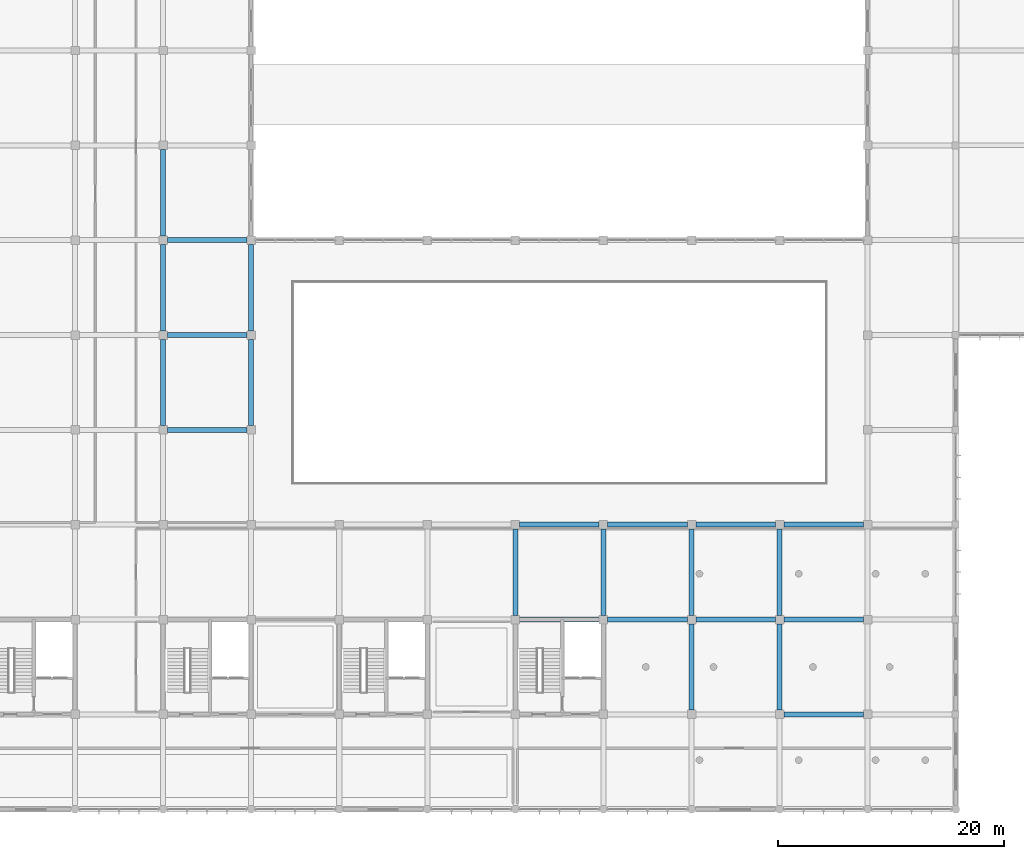
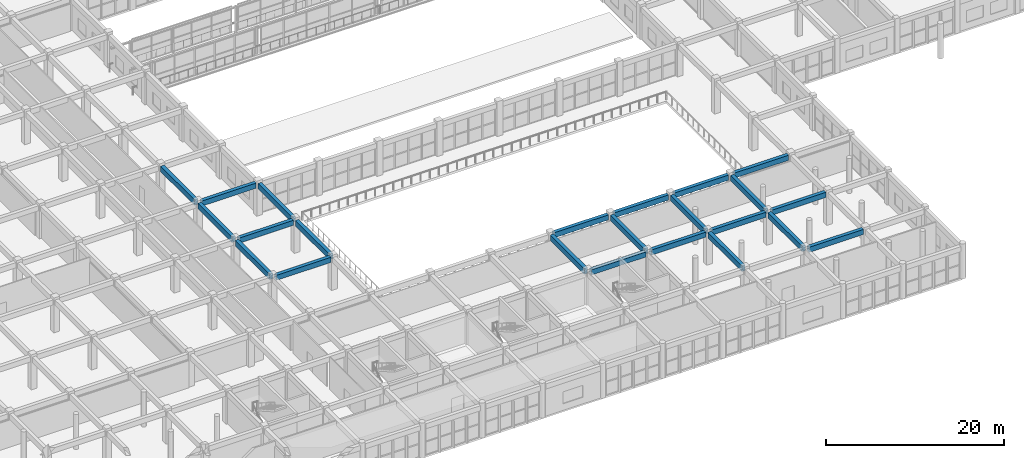
# One storey, part 35 of 167: 23 beams.
"""IFC4 building model written with IfcOpenShell, lengths in metres."""

from ifc_helpers import new_model, si_unit, direction, frame, origin, origin_2d, place, context, subcontext, project, spatial, rectangle, extrude, material, material_profile, profile_set, type_object, element, save


model = new_model("IFC4")

# Units and contexts
model_context = context("Model", 3, precision=1e-05, world=origin(), true_north=direction((0.0, 1.0)))
body_context = subcontext(model_context, "Body", "Model", "MODEL_VIEW")
ifc_project = project(units=[si_unit("LENGTHUNIT", "METRE"), si_unit("AREAUNIT", "SQUARE_METRE"), si_unit("VOLUMEUNIT", "CUBIC_METRE"), si_unit("PLANEANGLEUNIT", "RADIAN"), si_unit("MASSUNIT", "GRAM", prefix="KILO")], contexts=[model_context])

# Site, building, storey
site_placement = place(None, origin())
site = spatial("IfcSite", under=ifc_project, at=site_placement, CompositionType="ELEMENT")
building_placement = place(site_placement, origin())
building = spatial("IfcBuilding", under=site, at=building_placement, Name="Zizhar Promenade General Hospital", CompositionType="ELEMENT")
storey_placement = place(building_placement, frame((0.0, 0.0, 9.60009765625)))
storey = spatial("IfcBuildingStorey", under=building, at=storey_placement, Name="L02", CompositionType="ELEMENT", Elevation=9.60009765625)

# Beams
ifc_material_1 = material(Name="Concrete C35/45", Category="concrete")
ifc_material_profile_1 = material_profile(ifc_material_1, rectangle(XDim=0.449951171875, YDim=0.699951171875, at=origin_2d()))
ifc_profile_set_1 = profile_set([ifc_material_profile_1], Name="Concrete C35/45")
beam_type_1 = type_object("IfcBeamType", Name="BM-RC-450x700", PredefinedType="BEAM", material=ifc_profile_set_1)
for number, where, z_axis, x_axis, name in (
    (1, (62.77490234375, 33.60009765625, 4.119873046875), (1.0, 0.0, 0.0), (0.0, 1.0, 0.0), "Grid Beam X L02 (8-4)"),
    (2, (62.77490234375, 42.0, 4.119873046875), (1.0, 0.0, 0.0), (0.0, 1.0, 0.0), "Grid Beam X L02 (8-5)"),
    (3, (62.77490234375, 50.39990234375, 4.119873046875), (1.0, 0.0, 0.0), (0.0, 1.0, 0.0), "Grid Beam X L02 (8-6)"),
):
    element("IfcBeam", number, at=place(storey_placement, frame(where, z_axis=z_axis, x_axis=x_axis)), inside=storey, type_object=beam_type_1, Name=name, PredefinedType="BEAM", context=body_context, shape_type="SweptSolid", body=[
        extrude(rectangle(XDim=0.449951171875, YDim=0.699951171875, at=origin_2d()), origin(), (0.0, 0.0, 1.0), 7.050048828125),
    ])
for number, where, z_axis, x_axis, name in (
    (4, (93.97509765625, 16.800048828125, 4.119873046875), (1.0, 0.0, 0.0), (0.0, 1.0, 0.0), "Grid Beam X L02 (12-2)"),
    (5, (93.97509765625, 25.199951171875, 4.119873046875), (1.0, 0.0, 0.0), (0.0, 1.0, 0.0), "Grid Beam X L02 (12-3)"),
):
    element("IfcBeam", number, at=place(storey_placement, frame(where, z_axis=z_axis, x_axis=x_axis)), inside=storey, type_object=beam_type_1, Name=name, PredefinedType="BEAM", context=body_context, shape_type="SweptSolid", body=[
        extrude(rectangle(XDim=0.449951171875, YDim=0.699951171875, at=origin_2d()), origin(), (0.0, 0.0, 1.0), 7.0498046875),
    ])
for number, where, z_axis, x_axis, name in (
    (6, (101.77490234375, 16.800048828125, 4.119873046875), (1.0, 0.0, 0.0), (0.0, 1.0, 0.0), "Grid Beam X L02 (13-2)"),
    (7, (101.77490234375, 25.199951171875, 4.119873046875), (1.0, 0.0, 0.0), (0.0, 1.0, 0.0), "Grid Beam X L02 (13-3)"),
    (8, (109.574951171875, 16.800048828125, 4.119873046875), (1.0, 0.0, 0.0), (0.0, 1.0, 0.0), "Grid Beam X L02 (14-2)"),
    (9, (109.574951171875, 25.199951171875, 4.119873046875), (1.0, 0.0, 0.0), (0.0, 1.0, 0.0), "Grid Beam X L02 (14-3)"),
    (10, (117.375, 8.39990234375, 4.119873046875), (1.0, 0.0, 0.0), (0.0, 1.0, 0.0), "Grid Beam X L02 (15-1)"),
    (11, (117.375, 16.800048828125, 4.119873046875), (1.0, 0.0, 0.0), (0.0, 1.0, 0.0), "Grid Beam X L02 (15-2)"),
    (12, (117.375, 25.199951171875, 4.119873046875), (1.0, 0.0, 0.0), (0.0, 1.0, 0.0), "Grid Beam X L02 (15-3)"),
):
    element("IfcBeam", number, at=place(storey_placement, frame(where, z_axis=z_axis, x_axis=x_axis)), inside=storey, type_object=beam_type_1, Name=name, PredefinedType="BEAM", context=body_context, shape_type="SweptSolid", body=[
        extrude(rectangle(XDim=0.449951171875, YDim=0.699951171875, at=origin_2d()), origin(), (0.0, 0.0, 1.0), 7.050048828125),
    ])
ifc_material_2 = material(Name="Concrete C35/45", Category="concrete")
ifc_material_profile_2 = material_profile(ifc_material_2, rectangle(XDim=0.449951171875, YDim=0.75, at=origin_2d()))
ifc_profile_set_2 = profile_set([ifc_material_profile_2], Name="Concrete C35/45")
beam_type_2 = type_object("IfcBeamType", Name="BM-RC-450x750", PredefinedType="BEAM", material=ifc_profile_set_2)
for number, where, z_axis, x_axis, name in (
    (13, (62.39990234375, 33.97509765625, 4.094970703125), (0.0, 1.0, 0.0), (-1.0, 0.0, 0.0), "Grid Beam Y L02 (8-4)"),
    (14, (62.39990234375, 42.375, 4.094970703125), (0.0, 1.0, 0.0), (-1.0, 0.0, 0.0), "Grid Beam Y L02 (8-5)"),
):
    element("IfcBeam", number, at=place(storey_placement, frame(where, z_axis=z_axis, x_axis=x_axis)), inside=storey, type_object=beam_type_2, Name=name, PredefinedType="BEAM", context=body_context, shape_type="SweptSolid", body=[
        extrude(rectangle(XDim=0.449951171875, YDim=0.75, at=origin_2d()), origin(), (0.0, 0.0, 1.0), 7.64990234375),
    ])
beam_1_placement = place(storey_placement, frame((62.39990234375, 50.77490234375, 4.094970703125), z_axis=(0.0, 1.0, 0.0), x_axis=(-1.0, 0.0, 0.0)))
element("IfcBeam", 15, at=beam_1_placement, inside=storey, type_object=beam_type_2, Name="Grid Beam Y L02 (8-6)", PredefinedType="BEAM", context=body_context, shape_type="SweptSolid", body=[
    extrude(rectangle(XDim=0.449951171875, YDim=0.75, at=origin_2d()), origin(), (0.0, 0.0, 1.0), 7.650146484375),
])
for number, where, z_axis, x_axis, name in (
    (16, (70.199951171875, 33.97509765625, 4.094970703125), (0.0, 1.0, 0.0), (-1.0, 0.0, 0.0), "Grid Beam Y L02 (9-4)"),
    (17, (70.199951171875, 42.375, 4.094970703125), (0.0, 1.0, 0.0), (-1.0, 0.0, 0.0), "Grid Beam Y L02 (9-5)"),
    (18, (93.60009765625, 17.175048828125, 4.094970703125), (0.0, 1.0, 0.0), (-1.0, 0.0, 0.0), "Grid Beam Y L02 (12-2)"),
    (19, (101.39990234375, 17.175048828125, 4.094970703125), (0.0, 1.0, 0.0), (-1.0, 0.0, 0.0), "Grid Beam Y L02 (13-2)"),
):
    element("IfcBeam", number, at=place(storey_placement, frame(where, z_axis=z_axis, x_axis=x_axis)), inside=storey, type_object=beam_type_2, Name=name, PredefinedType="BEAM", context=body_context, shape_type="SweptSolid", body=[
        extrude(rectangle(XDim=0.449951171875, YDim=0.75, at=origin_2d()), origin(), (0.0, 0.0, 1.0), 7.64990234375),
    ])
beam_2_placement = place(storey_placement, frame((109.199951171875, 8.77490234375, 4.094970703125), z_axis=(0.0, 1.0, 0.0), x_axis=(-1.0, 0.0, 0.0)))
element("IfcBeam", 20, at=beam_2_placement, inside=storey, type_object=beam_type_2, Name="Grid Beam Y L02 (14-1)", PredefinedType="BEAM", context=body_context, shape_type="SweptSolid", body=[
    extrude(rectangle(XDim=0.449951171875, YDim=0.75, at=origin_2d()), origin(), (0.0, 0.0, 1.0), 7.650146484375),
])
beam_3_placement = place(storey_placement, frame((109.199951171875, 17.175048828125, 4.094970703125), z_axis=(0.0, 1.0, 0.0), x_axis=(-1.0, 0.0, 0.0)))
element("IfcBeam", 21, at=beam_3_placement, inside=storey, type_object=beam_type_2, Name="Grid Beam Y L02 (14-2)", PredefinedType="BEAM", context=body_context, shape_type="SweptSolid", body=[
    extrude(rectangle(XDim=0.449951171875, YDim=0.75, at=origin_2d()), origin(), (0.0, 0.0, 1.0), 7.64990234375),
])
beam_4_placement = place(storey_placement, frame((117.0, 8.77490234375, 4.094970703125), z_axis=(0.0, 1.0, 0.0), x_axis=(-1.0, 0.0, 0.0)))
element("IfcBeam", 22, at=beam_4_placement, inside=storey, type_object=beam_type_2, Name="Grid Beam Y L02 (15-1)", PredefinedType="BEAM", context=body_context, shape_type="SweptSolid", body=[
    extrude(rectangle(XDim=0.449951171875, YDim=0.75, at=origin_2d()), origin(), (0.0, 0.0, 1.0), 7.650146484375),
])
beam_5_placement = place(storey_placement, frame((117.0, 17.175048828125, 4.094970703125), z_axis=(0.0, 1.0, 0.0), x_axis=(-1.0, 0.0, 0.0)))
element("IfcBeam", 23, at=beam_5_placement, inside=storey, type_object=beam_type_2, Name="Grid Beam Y L02 (15-2)", PredefinedType="BEAM", context=body_context, shape_type="SweptSolid", body=[
    extrude(rectangle(XDim=0.449951171875, YDim=0.75, at=origin_2d()), origin(), (0.0, 0.0, 1.0), 7.64990234375),
])

save(model, "model.ifc")
